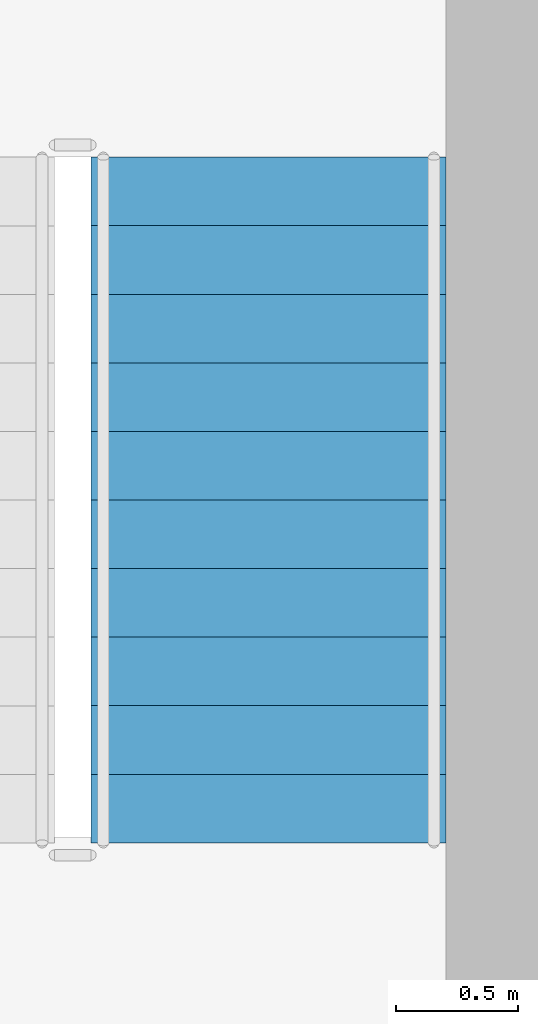
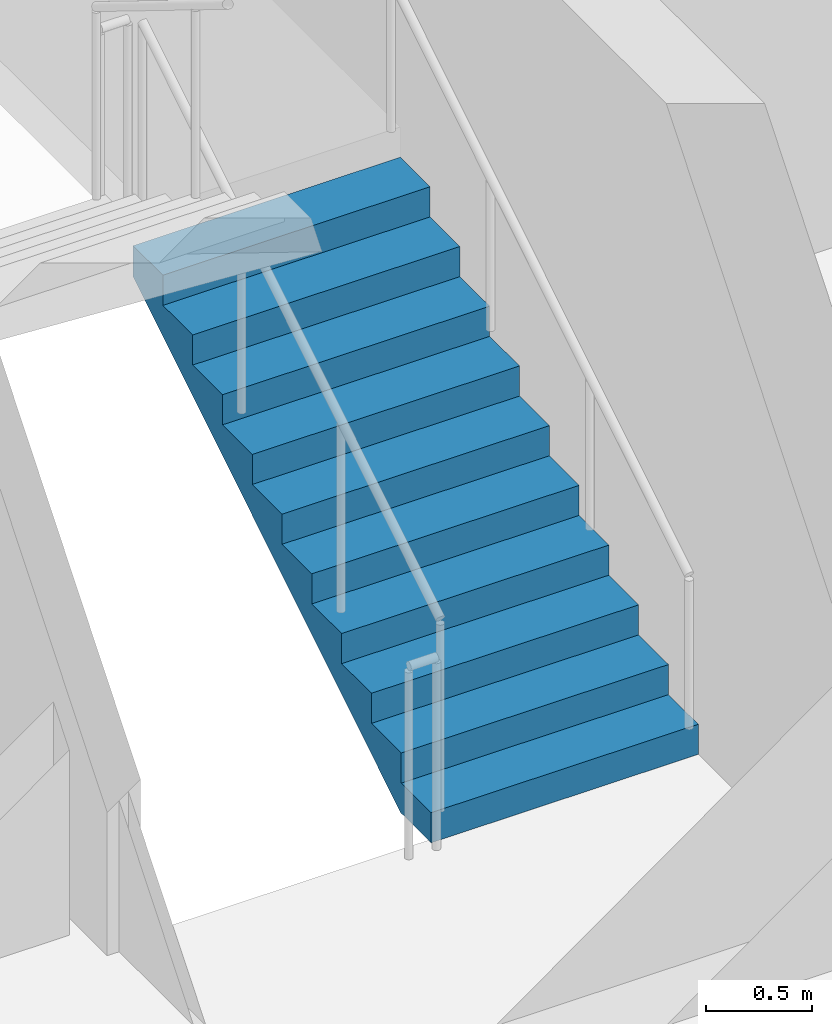
# One storey, part 29 of 33: 1 stair flight, 1 element without a shape of its own.
"""IFC4 building model written with IfcOpenShell, lengths in metres."""

import ifcopenshell
import ifcopenshell.guid

model = None  # the IFC model being written
_history = None  # IfcOwnerHistory: only IFC2X3 demands one
_inside = {}  # id of a spatial element -> (the spatial element, [elements in it])
_under = {}  # id of a project, library or spatial element -> (it, [spatial elements below it])
_declared = {}  # id of a project -> (the project, [libraries it declares])
_typed = {}  # id of a type object -> (the type object, [elements of that type])
_made_of = {}  # id of a material, layer set ... -> (it, [elements and type objects made of it])


def new_model(schema):
    """Start an empty IFC model of exactly this schema.

    Asked for "IFC4X3", IfcOpenShell would pick the latest addendum, in which some entities
    have other attributes; the version numbers below select the first issue.
    IFC2X3 requires an IfcOwnerHistory on every rooted entity: one is made here for all.
    """
    global model, _history
    if schema == "IFC4X3":
        model = ifcopenshell.file(schema_version=(4, 3, 0, 0))
    else:
        model = ifcopenshell.file(schema=schema)
    _inside.clear()
    _under.clear()
    _declared.clear()
    _typed.clear()
    _made_of.clear()
    _history = None
    if model.schema == "IFC2X3":
        org = make("IfcOrganization", Name="unknown")
        user = make(
            "IfcPersonAndOrganization",
            ThePerson=make("IfcPerson", FamilyName="unknown"),
            TheOrganization=org,
        )
        app = make(
            "IfcApplication",
            ApplicationDeveloper=org,
            Version="unknown",
            ApplicationFullName="unknown",
            ApplicationIdentifier="unknown",
        )
        _history = make(
            "IfcOwnerHistory",
            OwningUser=user,
            OwningApplication=app,
            ChangeAction="ADDED",
            CreationDate=0,
        )
    return model


def make(cls, **values):
    """One entity of the class cls with the attributes given. An attribute that is None is left unset."""
    return model.create_entity(
        cls, **{name: value for name, value in values.items() if value is not None}
    )


def rooted(cls, **values):
    """An entity with a GlobalId (a new one), such as an element, a storey or a relation."""
    return make(cls, GlobalId=ifcopenshell.guid.new(), OwnerHistory=_history, **values)


def si_unit(unit_type, name, prefix=None):
    """IfcSIUnit, for example si_unit("LENGTHUNIT", "METRE", prefix="MILLI")."""
    return make("IfcSIUnit", UnitType=unit_type, Prefix=prefix, Name=name)


def assignment(units):
    """IfcUnitAssignment: the units of a project."""
    return None if units is None else make("IfcUnitAssignment", Units=units)


def point(xyz):
    """IfcCartesianPoint."""
    return None if xyz is None else make("IfcCartesianPoint", Coordinates=xyz)


def direction(xyz):
    """IfcDirection."""
    return None if xyz is None else make("IfcDirection", DirectionRatios=xyz)


def frame(location, z_axis=None, x_axis=None):
    """IfcAxis2Placement3D, a coordinate frame: its origin and axes. An axis left out is left unset."""
    return make(
        "IfcAxis2Placement3D",
        Location=point(location),
        Axis=direction(z_axis),
        RefDirection=direction(x_axis),
    )


def origin():
    """The frame at (0, 0, 0) with its axes left unset."""
    return frame((0.0, 0.0, 0.0))


def place(relative_to, where):
    """IfcLocalPlacement: puts the frame where relative to a parent placement (None: the world)."""
    return make(
        "IfcLocalPlacement", PlacementRelTo=relative_to, RelativePlacement=where
    )


def context(
    kind, dimensions, precision=None, world=None, true_north=None, identifier=None
):
    """IfcGeometricRepresentationContext, for example the 3D "Model" context."""
    return make(
        "IfcGeometricRepresentationContext",
        ContextIdentifier=identifier,
        ContextType=kind,
        CoordinateSpaceDimension=dimensions,
        Precision=precision,
        WorldCoordinateSystem=world,
        TrueNorth=true_north,
    )


def subcontext(parent, identifier, kind, view, scale=None):
    """IfcGeometricRepresentationSubContext, for example "Body" below "Model"."""
    return make(
        "IfcGeometricRepresentationSubContext",
        ContextIdentifier=identifier,
        ContextType=kind,
        ParentContext=parent,
        TargetScale=scale,
        TargetView=view,
    )


def project(units=None, contexts=None):
    """IfcProject with its units and contexts."""
    return rooted(
        "IfcProject",
        Name="project",
        RepresentationContexts=contexts,
        UnitsInContext=assignment(units),
    )


def spatial(cls, under=None, at=None, **own):
    """A site, building, storey or space (cls), placed at a placement, below another one or the project."""
    s = rooted(cls, ObjectPlacement=at, **own)
    if under is not None:
        _under.setdefault(under.id(), (under, []))[1].append(s)
    return s


def polyline(points):
    """IfcPolyline through the points."""
    return make("IfcPolyline", Points=[point(p) for p in points])


def outline(outer, holes=None, kind="AREA"):
    """IfcArbitraryClosedProfileDef: a profile drawn as a closed curve; with holes, ...WithVoids."""
    if holes is None:
        return make("IfcArbitraryClosedProfileDef", ProfileType=kind, OuterCurve=outer)
    return make(
        "IfcArbitraryProfileDefWithVoids",
        ProfileType=kind,
        OuterCurve=outer,
        InnerCurves=holes,
    )


def extrude(swept, where, along, depth):
    """IfcExtrudedAreaSolid: the profile swept, set in the frame where, extruded along a direction by depth."""
    return make(
        "IfcExtrudedAreaSolid",
        SweptArea=swept,
        Position=where,
        ExtrudedDirection=direction(along),
        Depth=depth,
    )


def shape(context_of_items, identifier, shape_type, items):
    """IfcShapeRepresentation: the items that make up one representation, for example the "Body"."""
    return make(
        "IfcShapeRepresentation",
        ContextOfItems=context_of_items,
        RepresentationIdentifier=identifier,
        RepresentationType=shape_type,
        Items=items,
    )


def material(Name=None, Category=None):
    """IfcMaterial."""
    return make("IfcMaterial", Name=Name, Category=Category)


def made_of(thing, what):
    """Note that an element or type object is made of a material, layer set ...; save() writes the relation."""
    if what is not None:
        _made_of.setdefault(what.id(), (what, []))[1].append(thing)
    return thing


def type_object(cls, material=None, **own):
    """A type object (cls), such as IfcWallType, which elements share."""
    return made_of(rooted(cls, **own), material)


def element(
    cls,
    number,
    at=None,
    inside=None,
    cuts=None,
    type_object=None,
    material=None,
    context=None,
    identifier="Body",
    shape_type=None,
    held_by="IfcProductDefinitionShape",
    body=None,
    shapes=None,
    **own,
):
    """One element of the class cls, such as IfcWall. Its Tag is "e" and its number.

    at: its placement. inside: the storey or other place that contains it. cuts: it is an
    opening in that element (IfcRelVoidsElement). A single representation is given by context,
    identifier, shape_type and body (its items); several are given by shapes. held_by: the class
    of the entity that holds the representations. save() writes the other relations.
    """
    e = rooted(cls, Tag="e%d" % number, ObjectPlacement=at, **own)
    if body is not None:
        shapes = [shape(context, identifier, shape_type, body)]
    if shapes is not None:
        e.Representation = make(held_by, Representations=shapes)
    if inside is not None:
        _inside.setdefault(inside.id(), (inside, []))[1].append(e)
    if cuts is not None:
        rooted(
            "IfcRelVoidsElement", RelatingBuildingElement=cuts, RelatedOpeningElement=e
        )
    if type_object is not None:
        _typed.setdefault(type_object.id(), (type_object, []))[1].append(e)
    return made_of(e, material)


def aggregate(whole, parts):
    """IfcRelAggregates: a whole, such as a stair, and the parts it consists of."""
    return rooted("IfcRelAggregates", RelatingObject=whole, RelatedObjects=parts)


def save(model, path):
    """Write the relations noted so far, then the file.

    IfcRelAggregates (storeys below a building ...), IfcRelContainedInSpatialStructure (elements
    in a storey), IfcRelDefinesByType, IfcRelAssociatesMaterial and IfcRelDeclares: one each for
    every whole, place, type object, material and project.
    """
    for whole, parts in _under.values():
        aggregate(whole, parts)
    for where, things in _inside.values():
        rooted(
            "IfcRelContainedInSpatialStructure",
            RelatedElements=things,
            RelatingStructure=where,
        )
    for kind, things in _typed.values():
        rooted("IfcRelDefinesByType", RelatedObjects=things, RelatingType=kind)
    for what, things in _made_of.values():
        rooted("IfcRelAssociatesMaterial", RelatedObjects=things, RelatingMaterial=what)
    for by, libraries in _declared.values():
        rooted("IfcRelDeclares", RelatingContext=by, RelatedDefinitions=libraries)
    model.write(path)


model = new_model("IFC4")

# Units and contexts
model_context = context("Model", 3, precision=1e-05, world=origin(), true_north=direction((0.0, 1.0)))
body_context = subcontext(model_context, "Body", "Model", "MODEL_VIEW")
ifc_project = project(units=[si_unit("LENGTHUNIT", "METRE"), si_unit("AREAUNIT", "SQUARE_METRE"), si_unit("VOLUMEUNIT", "CUBIC_METRE"), si_unit("PLANEANGLEUNIT", "RADIAN"), si_unit("MASSUNIT", "GRAM", prefix="KILO")], contexts=[model_context])

# Site, building, storey
site_placement = place(None, origin())
site = spatial("IfcSite", under=ifc_project, at=site_placement, CompositionType="ELEMENT")
building_placement = place(site_placement, origin())
building = spatial("IfcBuilding", under=site, at=building_placement, Name="Saevonmaru Cultural Tower", CompositionType="ELEMENT")
storey_placement = place(building_placement, frame((0.0, 0.0, 234.39990234375)))
storey = spatial("IfcBuildingStorey", under=building, at=storey_placement, Name="L54", CompositionType="ELEMENT", Elevation=234.39990234375)

# Stair, stair flight
ifc_material_1 = material(Name="Concrete C40/50", Category="concrete")
stair_type = type_object("IfcStairType", Name="STR-DOGLEG-RC", PredefinedType="HALF_TURN_STAIR", material=ifc_material_1)
stair_placement = place(storey_placement, origin())
stair = element("IfcStair", 1, at=stair_placement, inside=storey, type_object=stair_type, Name="L54 Protected exit stair ST-2", PredefinedType="HALF_TURN_STAIR")
ifc_material_2 = material(Name="Precast concrete C40/50", Category="concrete")
stair_flight_type = type_object("IfcStairFlightType", Name="STF-PRECAST-180", PredefinedType="STRAIGHT", material=ifc_material_2)
stair_flight_placement = place(storey_placement, frame((45.074951171875, 44.85009765625, 0.0), z_axis=(0.0, 0.0, 1.0), x_axis=(0.0, 1.0, 0.0)))
stair_flight = element("IfcStairFlight", 2, at=stair_flight_placement, type_object=stair_flight_type, Name="ST-2-L54 flight 1", NumberOfRisers=11, NumberOfTreads=10, PredefinedType="STRAIGHT", RiserHeight=0.172727273, TreadLength=0.28, context=body_context, shape_type="SweptSolid", body=[
    extrude(outline(polyline([(0.0, 0.0), (0.0, 0.172607421875), (0.280029296875, 0.172607421875), (0.280029296875, 0.345458984375), (0.56005859375, 0.345458984375), (0.56005859375, 0.51806640625), (0.840087890625, 0.51806640625), (0.840087890625, 0.69091796875), (1.1201171875, 0.69091796875), (1.1201171875, 0.863525390625), (1.39990234375, 0.863525390625), (1.39990234375, 1.036376953125), (1.679931640625, 1.036376953125), (1.679931640625, 1.208984375), (1.9599609375, 1.208984375), (1.9599609375, 1.3818359375), (2.239990234375, 1.3818359375), (2.239990234375, 1.554443359375), (2.52001953125, 1.554443359375), (2.52001953125, 1.727294921875), (2.800048828125, 1.727294921875), (2.800048828125, 1.89990234375), (2.800048828125, 1.551025390625), (0.285400390625, 0.0), (0.0, 0.0)])), frame((0.0, 0.72509765625, 0.0), z_axis=(0.0, -1.0, 0.0), x_axis=(1.0, 0.0, 0.0)), (0.0, 0.0, 1.0), 1.449951171875),
])
aggregate(stair, [stair_flight])

save(model, "model.ifc")
